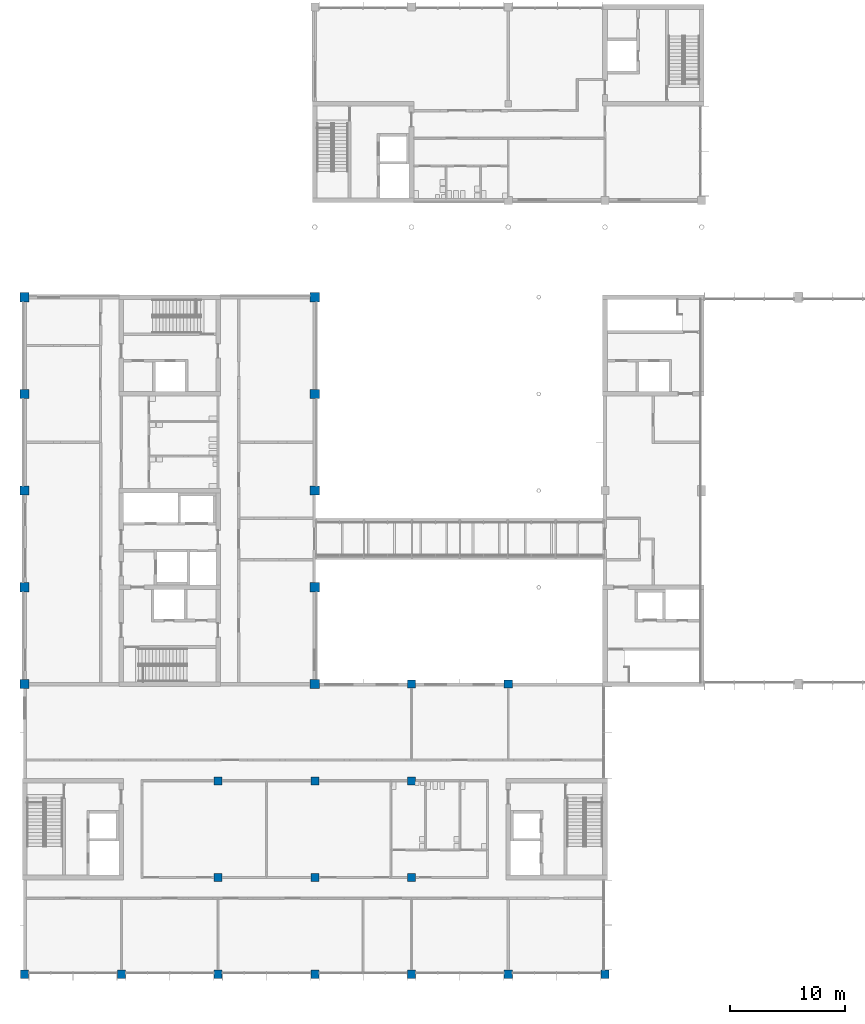
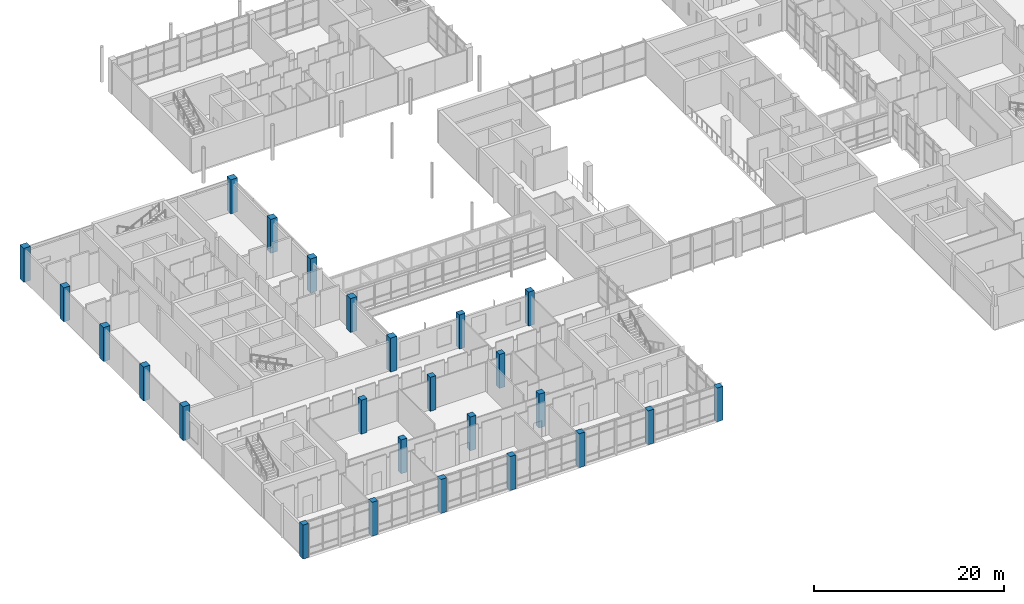
# One storey, part 1 of 70: 25 columns.
"""IFC4 building model written with IfcOpenShell, lengths in metres."""

from ifc_helpers import new_model, si_unit, direction, frame, origin, origin_2d, place, context, subcontext, project, spatial, rectangle, extrude, material, material_profile, profile_set, type_object, element, save


model = new_model("IFC4")

# Units and contexts
model_context = context("Model", 3, precision=1e-05, world=origin(), true_north=direction((0.0, 1.0)))
body_context = subcontext(model_context, "Body", "Model", "MODEL_VIEW")
ifc_project = project(units=[si_unit("LENGTHUNIT", "METRE"), si_unit("AREAUNIT", "SQUARE_METRE"), si_unit("VOLUMEUNIT", "CUBIC_METRE"), si_unit("PLANEANGLEUNIT", "RADIAN"), si_unit("MASSUNIT", "GRAM", prefix="KILO")], contexts=[model_context])

# Site, building, storey
site_placement = place(None, origin())
site = spatial("IfcSite", under=ifc_project, at=site_placement, CompositionType="ELEMENT")
building_placement = place(site_placement, origin())
building = spatial("IfcBuilding", under=site, at=building_placement, Name="Hlaing Beacon Police Headquarters", CompositionType="ELEMENT")
storey_placement = place(building_placement, frame((0.0, 0.0, 5.39990234375)))
storey = spatial("IfcBuildingStorey", under=building, at=storey_placement, Name="L01", CompositionType="ELEMENT", Elevation=5.39990234375)

# Columns
ifc_material_1 = material(Name="Concrete C50/60", Category="concrete")
ifc_material_profile_1 = material_profile(ifc_material_1, rectangle(XDim=0.699951171875, YDim=0.699951171875, at=origin_2d()), Name="700x700")
ifc_profile_set_1 = profile_set([ifc_material_profile_1], Name="Concrete C50/60")
column_type_1 = type_object("IfcColumnType", Name="RC column 700x700 C50/60", PredefinedType="COLUMN", material=ifc_profile_set_1)
for number, where, z_axis, x_axis, name in (
    (1, (8.39990234375, 8.39990234375, 0.0), (0.0, 0.0, 1.0), (1.0, 0.0, 0.0), "STR-COL-L01-B2"),
    (2, (16.800048828125, 8.39990234375, 0.0), (0.0, 0.0, 1.0), (1.0, 0.0, 0.0), "STR-COL-L01-C2"),
    (3, (25.199951171875, 8.39990234375, 0.0), (0.0, 0.0, 1.0), (1.0, 0.0, 0.0), "STR-COL-L01-D2"),
    (4, (25.199951171875, 16.800048828125, 0.0), (0.0, 0.0, 1.0), (1.0, 0.0, 0.0), "STR-COL-L01-D3"),
    (5, (25.199951171875, 25.199951171875, 0.0), (0.0, 0.0, 1.0), (1.0, 0.0, 0.0), "STR-COL-L01-D4"),
    (6, (33.60009765625, 8.39990234375, 0.0), (0.0, 0.0, 1.0), (1.0, 0.0, 0.0), "STR-COL-L01-E2"),
    (7, (33.60009765625, 16.800048828125, 0.0), (0.0, 0.0, 1.0), (1.0, 0.0, 0.0), "STR-COL-L01-E3"),
    (8, (33.60009765625, 25.199951171875, 0.0), (0.0, 0.0, 1.0), (1.0, 0.0, 0.0), "STR-COL-L01-E4"),
    (9, (42.0, 8.39990234375, 0.0), (0.0, 0.0, 1.0), (1.0, 0.0, 0.0), "STR-COL-L01-F2"),
    (10, (42.0, 16.800048828125, 0.0), (0.0, 0.0, 1.0), (1.0, 0.0, 0.0), "STR-COL-L01-F3"),
    (11, (42.0, 25.199951171875, 0.0), (0.0, 0.0, 1.0), (1.0, 0.0, 0.0), "STR-COL-L01-F4"),
    (12, (42.0, 33.60009765625, 0.0), (0.0, 0.0, 1.0), (1.0, 0.0, 0.0), "STR-COL-L01-F5"),
    (13, (50.39990234375, 8.39990234375, 0.0), (0.0, 0.0, 1.0), (1.0, 0.0, 0.0), "STR-COL-L01-G2"),
    (14, (50.39990234375, 33.60009765625, 0.0), (0.0, 0.0, 1.0), (1.0, 0.0, 0.0), "STR-COL-L01-G5"),
    (15, (58.800048828125, 8.39990234375, 0.0), (0.0, 0.0, 1.0), (1.0, 0.0, 0.0), "STR-COL-L01-H2"),
):
    element("IfcColumn", number, at=place(storey_placement, frame(where, z_axis=z_axis, x_axis=x_axis)), inside=storey, type_object=column_type_1, Name=name, PredefinedType="COLUMN", context=body_context, shape_type="SweptSolid", body=[
        extrude(rectangle(XDim=0.699951171875, YDim=0.699951171875, at=origin_2d()), origin(), (0.0, 0.0, 1.0), 4.3701171875),
    ])
ifc_material_2 = material(Name="Concrete C50/60", Category="concrete")
ifc_material_profile_2 = material_profile(ifc_material_2, rectangle(XDim=0.800048828125, YDim=0.800048828125, at=origin_2d()), Name="800x800")
ifc_profile_set_2 = profile_set([ifc_material_profile_2], Name="Concrete C50/60")
column_type_2 = type_object("IfcColumnType", Name="RC column 800x800 C50/60", PredefinedType="COLUMN", material=ifc_profile_set_2)
for number, where, z_axis, x_axis, name in (
    (16, (8.39990234375, 33.60009765625, 0.0), (0.0, 0.0, 1.0), (1.0, 0.0, 0.0), "STR-COL-L01-B5"),
    (17, (8.39990234375, 42.0, 0.0), (0.0, 0.0, 1.0), (1.0, 0.0, 0.0), "STR-COL-L01-B6"),
    (18, (8.39990234375, 50.39990234375, 0.0), (0.0, 0.0, 1.0), (1.0, 0.0, 0.0), "STR-COL-L01-B7"),
    (19, (8.39990234375, 58.800048828125, 0.0), (0.0, 0.0, 1.0), (1.0, 0.0, 0.0), "STR-COL-L01-B8"),
    (20, (8.39990234375, 67.199951171875, 0.0), (0.0, 0.0, 1.0), (1.0, 0.0, 0.0), "STR-COL-L01-B9"),
    (21, (33.60009765625, 33.60009765625, 0.0), (0.0, 0.0, 1.0), (1.0, 0.0, 0.0), "STR-COL-L01-E5"),
    (22, (33.60009765625, 42.0, 0.0), (0.0, 0.0, 1.0), (1.0, 0.0, 0.0), "STR-COL-L01-E6"),
    (23, (33.60009765625, 50.39990234375, 0.0), (0.0, 0.0, 1.0), (1.0, 0.0, 0.0), "STR-COL-L01-E7"),
    (24, (33.60009765625, 58.800048828125, 0.0), (0.0, 0.0, 1.0), (1.0, 0.0, 0.0), "STR-COL-L01-E8"),
    (25, (33.60009765625, 67.199951171875, 0.0), (0.0, 0.0, 1.0), (1.0, 0.0, 0.0), "STR-COL-L01-E9"),
):
    element("IfcColumn", number, at=place(storey_placement, frame(where, z_axis=z_axis, x_axis=x_axis)), inside=storey, type_object=column_type_2, Name=name, PredefinedType="COLUMN", context=body_context, shape_type="SweptSolid", body=[
        extrude(rectangle(XDim=0.800048828125, YDim=0.800048828125, at=origin_2d()), origin(), (0.0, 0.0, 1.0), 4.3701171875),
    ])

save(model, "model.ifc")
